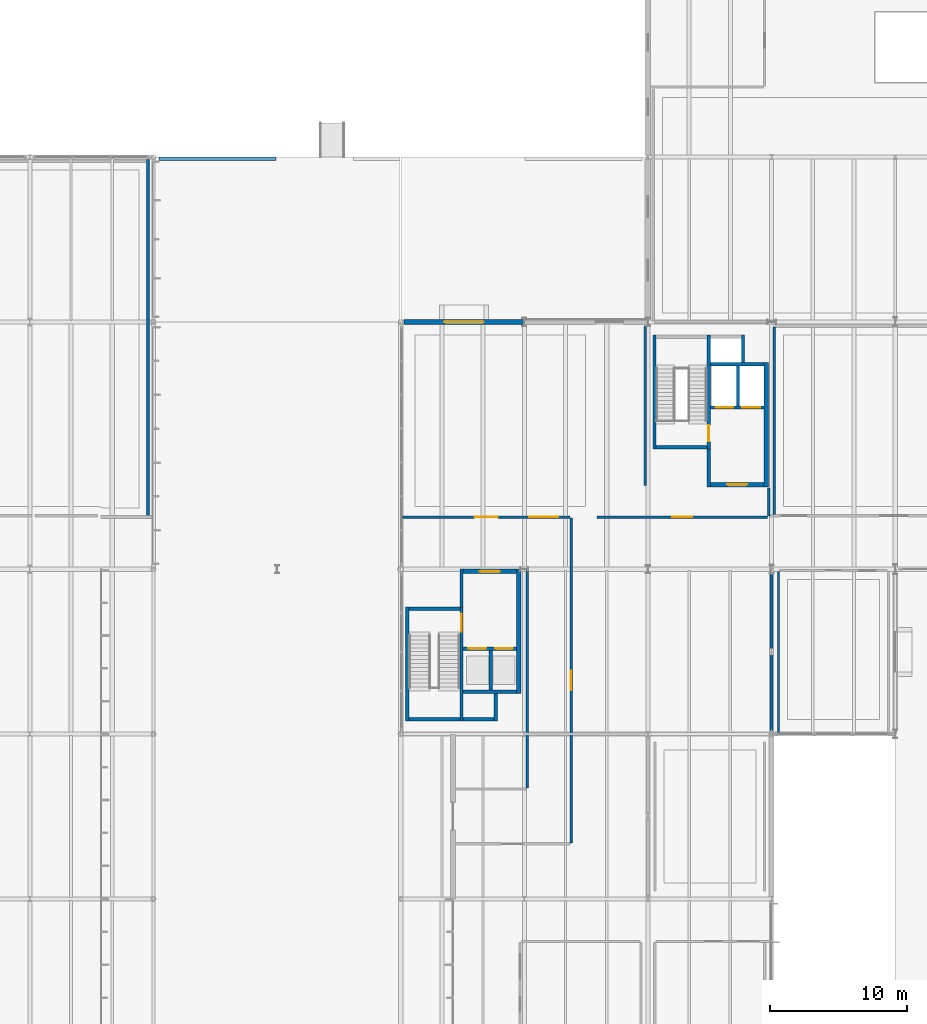
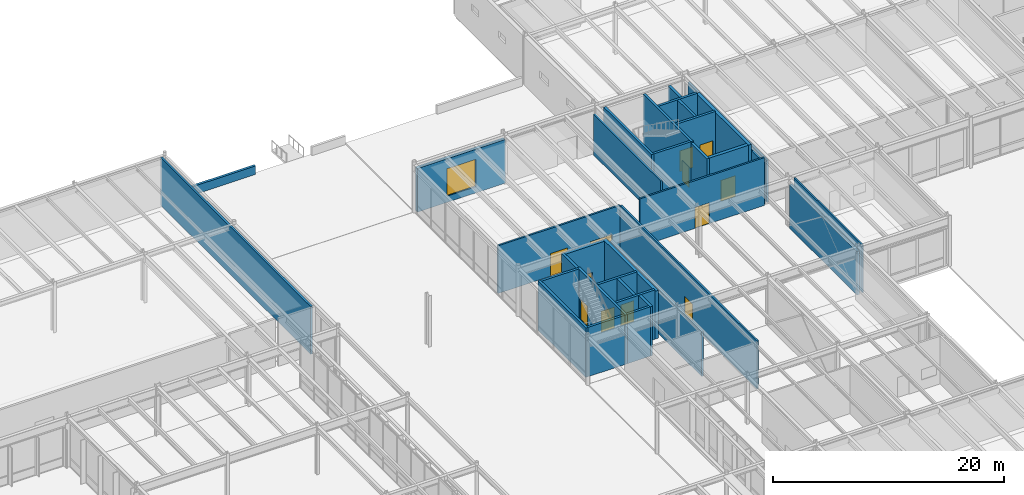
# One storey, part 126 of 143: 34 walls, 11 doors, 2 windows, 13 openings.
"""IFC4 building model written with IfcOpenShell, lengths in metres."""

import ifcopenshell
import ifcopenshell.guid

model = None  # the IFC model being written
_history = None  # IfcOwnerHistory: only IFC2X3 demands one
_inside = {}  # id of a spatial element -> (the spatial element, [elements in it])
_under = {}  # id of a project, library or spatial element -> (it, [spatial elements below it])
_declared = {}  # id of a project -> (the project, [libraries it declares])
_typed = {}  # id of a type object -> (the type object, [elements of that type])
_made_of = {}  # id of a material, layer set ... -> (it, [elements and type objects made of it])


def new_model(schema):
    """Start an empty IFC model of exactly this schema.

    Asked for "IFC4X3", IfcOpenShell would pick the latest addendum, in which some entities
    have other attributes; the version numbers below select the first issue.
    IFC2X3 requires an IfcOwnerHistory on every rooted entity: one is made here for all.
    """
    global model, _history
    if schema == "IFC4X3":
        model = ifcopenshell.file(schema_version=(4, 3, 0, 0))
    else:
        model = ifcopenshell.file(schema=schema)
    _inside.clear()
    _under.clear()
    _declared.clear()
    _typed.clear()
    _made_of.clear()
    _history = None
    if model.schema == "IFC2X3":
        org = make("IfcOrganization", Name="unknown")
        user = make(
            "IfcPersonAndOrganization",
            ThePerson=make("IfcPerson", FamilyName="unknown"),
            TheOrganization=org,
        )
        app = make(
            "IfcApplication",
            ApplicationDeveloper=org,
            Version="unknown",
            ApplicationFullName="unknown",
            ApplicationIdentifier="unknown",
        )
        _history = make(
            "IfcOwnerHistory",
            OwningUser=user,
            OwningApplication=app,
            ChangeAction="ADDED",
            CreationDate=0,
        )
    return model


def make(cls, **values):
    """One entity of the class cls with the attributes given. An attribute that is None is left unset."""
    return model.create_entity(
        cls, **{name: value for name, value in values.items() if value is not None}
    )


def rooted(cls, **values):
    """An entity with a GlobalId (a new one), such as an element, a storey or a relation."""
    return make(cls, GlobalId=ifcopenshell.guid.new(), OwnerHistory=_history, **values)


def si_unit(unit_type, name, prefix=None):
    """IfcSIUnit, for example si_unit("LENGTHUNIT", "METRE", prefix="MILLI")."""
    return make("IfcSIUnit", UnitType=unit_type, Prefix=prefix, Name=name)


def assignment(units):
    """IfcUnitAssignment: the units of a project."""
    return None if units is None else make("IfcUnitAssignment", Units=units)


def point(xyz):
    """IfcCartesianPoint."""
    return None if xyz is None else make("IfcCartesianPoint", Coordinates=xyz)


def direction(xyz):
    """IfcDirection."""
    return None if xyz is None else make("IfcDirection", DirectionRatios=xyz)


def frame(location, z_axis=None, x_axis=None):
    """IfcAxis2Placement3D, a coordinate frame: its origin and axes. An axis left out is left unset."""
    return make(
        "IfcAxis2Placement3D",
        Location=point(location),
        Axis=direction(z_axis),
        RefDirection=direction(x_axis),
    )


def frame_2d(location, x_axis=None):
    """IfcAxis2Placement2D, a coordinate frame in the plane: its origin and x axis."""
    return make(
        "IfcAxis2Placement2D", Location=point(location), RefDirection=direction(x_axis)
    )


def origin():
    """The frame at (0, 0, 0) with its axes left unset."""
    return frame((0.0, 0.0, 0.0))


def place(relative_to, where):
    """IfcLocalPlacement: puts the frame where relative to a parent placement (None: the world)."""
    return make(
        "IfcLocalPlacement", PlacementRelTo=relative_to, RelativePlacement=where
    )


def context(
    kind, dimensions, precision=None, world=None, true_north=None, identifier=None
):
    """IfcGeometricRepresentationContext, for example the 3D "Model" context."""
    return make(
        "IfcGeometricRepresentationContext",
        ContextIdentifier=identifier,
        ContextType=kind,
        CoordinateSpaceDimension=dimensions,
        Precision=precision,
        WorldCoordinateSystem=world,
        TrueNorth=true_north,
    )


def subcontext(parent, identifier, kind, view, scale=None):
    """IfcGeometricRepresentationSubContext, for example "Body" below "Model"."""
    return make(
        "IfcGeometricRepresentationSubContext",
        ContextIdentifier=identifier,
        ContextType=kind,
        ParentContext=parent,
        TargetScale=scale,
        TargetView=view,
    )


def project(units=None, contexts=None):
    """IfcProject with its units and contexts."""
    return rooted(
        "IfcProject",
        Name="project",
        RepresentationContexts=contexts,
        UnitsInContext=assignment(units),
    )


def spatial(cls, under=None, at=None, **own):
    """A site, building, storey or space (cls), placed at a placement, below another one or the project."""
    s = rooted(cls, ObjectPlacement=at, **own)
    if under is not None:
        _under.setdefault(under.id(), (under, []))[1].append(s)
    return s


def profile(cls, at=None, kind="AREA", **sizes):
    """A parametric profile (cls). Its sizes go by their IFC names, for example OverallWidth=200.0."""
    return make(cls, ProfileType=kind, Position=at, **sizes)


def rectangle(**sizes):
    """IfcRectangleProfileDef."""
    return profile("IfcRectangleProfileDef", **sizes)


def extrude(swept, where, along, depth):
    """IfcExtrudedAreaSolid: the profile swept, set in the frame where, extruded along a direction by depth."""
    return make(
        "IfcExtrudedAreaSolid",
        SweptArea=swept,
        Position=where,
        ExtrudedDirection=direction(along),
        Depth=depth,
    )


def shape(context_of_items, identifier, shape_type, items):
    """IfcShapeRepresentation: the items that make up one representation, for example the "Body"."""
    return make(
        "IfcShapeRepresentation",
        ContextOfItems=context_of_items,
        RepresentationIdentifier=identifier,
        RepresentationType=shape_type,
        Items=items,
    )


def material(Name=None, Category=None):
    """IfcMaterial."""
    return make("IfcMaterial", Name=Name, Category=Category)


def layer(
    of_material, thickness, ventilated=None, Name=None, Category=None, Priority=None
):
    """IfcMaterialLayer: one layer of a wall or slab, of a material (None: an air gap)."""
    return make(
        "IfcMaterialLayer",
        Material=of_material,
        LayerThickness=thickness,
        IsVentilated=ventilated,
        Name=Name,
        Category=Category,
        Priority=Priority,
    )


def layer_set(layers, Name=None):
    """IfcMaterialLayerSet."""
    return make("IfcMaterialLayerSet", MaterialLayers=layers, LayerSetName=Name)


def made_of(thing, what):
    """Note that an element or type object is made of a material, layer set ...; save() writes the relation."""
    if what is not None:
        _made_of.setdefault(what.id(), (what, []))[1].append(thing)
    return thing


def type_object(cls, material=None, **own):
    """A type object (cls), such as IfcWallType, which elements share."""
    return made_of(rooted(cls, **own), material)


def element(
    cls,
    number,
    at=None,
    inside=None,
    cuts=None,
    type_object=None,
    material=None,
    context=None,
    identifier="Body",
    shape_type=None,
    held_by="IfcProductDefinitionShape",
    body=None,
    shapes=None,
    **own,
):
    """One element of the class cls, such as IfcWall. Its Tag is "e" and its number.

    at: its placement. inside: the storey or other place that contains it. cuts: it is an
    opening in that element (IfcRelVoidsElement). A single representation is given by context,
    identifier, shape_type and body (its items); several are given by shapes. held_by: the class
    of the entity that holds the representations. save() writes the other relations.
    """
    e = rooted(cls, Tag="e%d" % number, ObjectPlacement=at, **own)
    if body is not None:
        shapes = [shape(context, identifier, shape_type, body)]
    if shapes is not None:
        e.Representation = make(held_by, Representations=shapes)
    if inside is not None:
        _inside.setdefault(inside.id(), (inside, []))[1].append(e)
    if cuts is not None:
        rooted(
            "IfcRelVoidsElement", RelatingBuildingElement=cuts, RelatedOpeningElement=e
        )
    if type_object is not None:
        _typed.setdefault(type_object.id(), (type_object, []))[1].append(e)
    return made_of(e, material)


def fill(opening, filler):
    """IfcRelFillsElement: the door or window that sits in an opening."""
    return rooted(
        "IfcRelFillsElement",
        RelatingOpeningElement=opening,
        RelatedBuildingElement=filler,
    )


def aggregate(whole, parts):
    """IfcRelAggregates: a whole, such as a stair, and the parts it consists of."""
    return rooted("IfcRelAggregates", RelatingObject=whole, RelatedObjects=parts)


def save(model, path):
    """Write the relations noted so far, then the file.

    IfcRelAggregates (storeys below a building ...), IfcRelContainedInSpatialStructure (elements
    in a storey), IfcRelDefinesByType, IfcRelAssociatesMaterial and IfcRelDeclares: one each for
    every whole, place, type object, material and project.
    """
    for whole, parts in _under.values():
        aggregate(whole, parts)
    for where, things in _inside.values():
        rooted(
            "IfcRelContainedInSpatialStructure",
            RelatedElements=things,
            RelatingStructure=where,
        )
    for kind, things in _typed.values():
        rooted("IfcRelDefinesByType", RelatedObjects=things, RelatingType=kind)
    for what, things in _made_of.values():
        rooted("IfcRelAssociatesMaterial", RelatedObjects=things, RelatingMaterial=what)
    for by, libraries in _declared.values():
        rooted("IfcRelDeclares", RelatingContext=by, RelatedDefinitions=libraries)
    model.write(path)


model = new_model("IFC4")

# Units and contexts
model_context = context("Model", 3, precision=1e-05, world=origin(), true_north=direction((0.0, 1.0)))
body_context = subcontext(model_context, "Body", "Model", "MODEL_VIEW")
ifc_project = project(units=[si_unit("LENGTHUNIT", "METRE"), si_unit("AREAUNIT", "SQUARE_METRE"), si_unit("VOLUMEUNIT", "CUBIC_METRE"), si_unit("PLANEANGLEUNIT", "RADIAN"), si_unit("MASSUNIT", "GRAM", prefix="KILO")], contexts=[model_context])

# Site, building, storey
site_placement = place(None, origin())
site = spatial("IfcSite", under=ifc_project, at=site_placement, CompositionType="ELEMENT")
building_placement = place(site_placement, origin())
building = spatial("IfcBuilding", under=site, at=building_placement, Name="Montelvaro Courts of Justice", CompositionType="ELEMENT")
storey_placement = place(building_placement, origin())
storey = spatial("IfcBuildingStorey", under=building, at=storey_placement, Name="L00", CompositionType="ELEMENT", Elevation=0.0)

# Wall
ifc_material_1 = material(Name="Gypsum board on metal stud")
ifc_layer_1 = layer(ifc_material_1, 0.14990234375)
ifc_layer_set_1 = layer_set([ifc_layer_1], Name="Gypsum board on metal stud")
wall_type_1 = type_object("IfcWallType", Name="ChambersPartition_150", PredefinedType="PARTITIONING", material=ifc_layer_set_1)
wall_1_placement = place(storey_placement, frame((126.5, 66.074951171875, 0.0), z_axis=(0.0, 0.0, 1.0), x_axis=(0.0, 1.0, 0.0)))
element("IfcWall", 1, at=wall_1_placement, inside=storey, type_object=wall_type_1, Name="Interior Partition IW-04 (L00)", PredefinedType="PARTITIONING", context=body_context, shape_type="SweptSolid", body=[
    extrude(rectangle(XDim=11.7451171875, YDim=0.14990234375, at=frame_2d((5.87255859375, 0.0))), origin(), (0.0, 0.0, 1.0), 5.0400390625),
])

# Wall, opening, door
ifc_material_2 = material(Name="Concrete C40/50", Category="concrete")
ifc_layer_2 = layer(ifc_material_2, 0.320068359375)
ifc_layer_set_2 = layer_set([ifc_layer_2], Name="Concrete C40/50")
wall_type_2 = type_object("IfcWallType", Name="CoreWall_320", PredefinedType="SHEAR", material=ifc_layer_set_2)
wall_2_placement = place(storey_placement, frame((121.5400390625, 84.159912109375, 0.0), z_axis=(0.0, 0.0, 1.0), x_axis=(1.0, 0.0, 0.0)))
wall_2 = element("IfcWall", 2, at=wall_2_placement, inside=storey, type_object=wall_type_2, Name="Core Shear Wall CW-02 K3-S (L00)", PredefinedType="SHEAR", context=body_context, shape_type="SweptSolid", body=[
    extrude(rectangle(XDim=3.89990234375, YDim=0.320068359375, at=frame_2d((1.949951171875, 0.0))), origin(), (0.0, 0.0, 1.0), 5.06005859375),
])
opening_1_placement = place(wall_2_placement, frame((1.22509765625, 0.0, 0.0)))
opening_1 = element("IfcOpeningElement", 3, at=opening_1_placement, cuts=wall_2, Name="Opening DL-L00-K3", PredefinedType="OPENING", context=body_context, shape_type="SweptSolid", body=[
    extrude(rectangle(XDim=1.449951171875, YDim=2.199951171875, at=frame_2d((0.72509765625, 1.10009765625))), frame((0.0, 0.1748046875, 0.0), z_axis=(0.0, -1.0, 0.0), x_axis=(1.0, 0.0, 0.0)), (0.0, 0.0, 1.0), 0.349853515625),
])
ifc_material_3 = material(Name="Galvanised steel S355 security door", Category="steel")
door_type_1 = type_object("IfcDoorType", Name="LobbyFireDoor_145x220", OperationType="DOUBLE_DOOR_SINGLE_SWING", PredefinedType="DOOR", material=ifc_material_3)
door_1_placement = place(opening_1_placement, origin())
door_1 = element("IfcDoor", 4, at=door_1_placement, inside=storey, type_object=door_type_1, Name="Core Lobby Fire Door DL-L00-K3", OperationType="DOUBLE_DOOR_SINGLE_SWING", OverallHeight=2.199951171875, OverallWidth=1.449951171875, PredefinedType="DOOR", context=body_context, shape_type="SweptSolid", body=[
    extrude(rectangle(XDim=1.449951171875, YDim=2.199951171875, at=frame_2d((0.72509765625, 1.10009765625))), frame((0.0, 0.02490234375, 0.0), z_axis=(0.0, -1.0, 0.0), x_axis=(1.0, 0.0, 0.0)), (0.0, 0.0, 1.0), 0.050048828125),
])
fill(opening_1, door_1)

# Wall
wall_3_placement = place(storey_placement, frame((125.60009765625, 84.0, 0.0), z_axis=(0.0, 0.0, 1.0), x_axis=(0.0, 1.0, 0.0)))
element("IfcWall", 5, at=wall_3_placement, inside=storey, type_object=wall_type_2, Name="Core Shear Wall CW-02 K3-E (L00)", PredefinedType="SHEAR", context=body_context, shape_type="SweptSolid", body=[
    extrude(rectangle(XDim=9.0400390625, YDim=0.320068359375, at=frame_2d((4.52001953125, 0.0))), origin(), (0.0, 0.0, 1.0), 5.06005859375),
])

# Wall, opening, door
wall_4_placement = place(storey_placement, frame((103.5400390625, 77.840087890625, 0.0), z_axis=(0.0, 0.0, 1.0), x_axis=(1.0, 0.0, 0.0)))
wall_4 = element("IfcWall", 6, at=wall_4_placement, inside=storey, type_object=wall_type_2, Name="Core Shear Wall CW-02 K4-N (L00)", PredefinedType="SHEAR", context=body_context, shape_type="SweptSolid", body=[
    extrude(rectangle(XDim=3.89990234375, YDim=0.320068359375, at=frame_2d((1.949951171875, 0.0))), origin(), (0.0, 0.0, 1.0), 5.06005859375),
])
opening_2_placement = place(wall_4_placement, frame((1.22509765625, 0.0, 0.0)))
opening_2 = element("IfcOpeningElement", 7, at=opening_2_placement, cuts=wall_4, Name="Opening DL-L00-K4", PredefinedType="OPENING", context=body_context, shape_type="SweptSolid", body=[
    extrude(rectangle(XDim=1.449951171875, YDim=2.199951171875, at=frame_2d((0.72509765625, 1.10009765625))), frame((0.0, 0.1748046875, 0.0), z_axis=(0.0, -1.0, 0.0), x_axis=(1.0, 0.0, 0.0)), (0.0, 0.0, 1.0), 0.349853515625),
])
door_2_placement = place(opening_2_placement, origin())
door_2 = element("IfcDoor", 8, at=door_2_placement, inside=storey, type_object=door_type_1, Name="Core Lobby Fire Door DL-L00-K4", OperationType="DOUBLE_DOOR_SINGLE_SWING", OverallHeight=2.199951171875, OverallWidth=1.449951171875, PredefinedType="DOOR", context=body_context, shape_type="SweptSolid", body=[
    extrude(rectangle(XDim=1.449951171875, YDim=2.199951171875, at=frame_2d((0.72509765625, 1.10009765625))), frame((0.0, 0.02490234375, 0.0), z_axis=(0.0, -1.0, 0.0), x_axis=(1.0, 0.0, 0.0)), (0.0, 0.0, 1.0), 0.050048828125),
])
fill(opening_2, door_2)

# Wall
wall_5_placement = place(storey_placement, frame((107.60009765625, 68.9599609375, 0.0), z_axis=(0.0, 0.0, 1.0), x_axis=(0.0, 1.0, 0.0)))
element("IfcWall", 9, at=wall_5_placement, inside=storey, type_object=wall_type_2, Name="Core Shear Wall CW-02 K4-E (L00)", PredefinedType="SHEAR", context=body_context, shape_type="SweptSolid", body=[
    extrude(rectangle(XDim=9.0400390625, YDim=0.320068359375, at=frame_2d((4.52001953125, 0.0))), origin(), (0.0, 0.0, 1.0), 5.06005859375),
])

# Wall, openings, door, window
ifc_material_4 = material(Name="Fire-rated gypsum and steel stud", Category="steel")
ifc_layer_3 = layer(ifc_material_4, 0.179931640625)
ifc_layer_set_3 = layer_set([ifc_layer_3], Name="Fire-rated gypsum and steel stud")
wall_type_3 = type_object("IfcWallType", Name="CorridorFireWall_180", PredefinedType="PARTITIONING", material=ifc_layer_set_3)
wall_6_placement = place(storey_placement, frame((99.125, 81.800048828125, 0.0), z_axis=(0.0, 0.0, 1.0), x_axis=(1.0, 0.0, 0.0)))
wall_6 = element("IfcWall", 10, at=wall_6_placement, inside=storey, type_object=wall_type_3, Name="Interior Partition IW-02 (L00)", PredefinedType="PARTITIONING", context=body_context, shape_type="SweptSolid", body=[
    extrude(rectangle(XDim=12.195068359375, YDim=0.179931640625, at=frame_2d((6.09765625, 0.0))), origin(), (0.0, 0.0, 1.0), 5.0400390625),
])
opening_3_placement = place(wall_6_placement, frame((5.248046875, 0.0, 0.0)))
opening_3 = element("IfcOpeningElement", 11, at=opening_3_placement, cuts=wall_6, Name="Opening D-L00-034", PredefinedType="OPENING", context=body_context, shape_type="SweptSolid", body=[
    extrude(rectangle(XDim=1.699951171875, YDim=2.39990234375, at=frame_2d((0.85009765625, 1.199951171875))), frame((0.0, 0.10498046875, 0.0), z_axis=(0.0, -1.0, 0.0), x_axis=(1.0, 0.0, 0.0)), (0.0, 0.0, 1.0), 0.209716796875),
])
opening_4_placement = place(wall_6_placement, frame((9.2451171875, 0.0, 1.050048828125)))
opening_4 = element("IfcOpeningElement", 12, at=opening_4_placement, cuts=wall_6, Name="Opening WI-04", PredefinedType="OPENING", context=body_context, shape_type="SweptSolid", body=[
    extrude(rectangle(XDim=2.10009765625, YDim=1.199951171875, at=frame_2d((1.050048828125, 0.60009765625))), frame((0.0, 0.10498046875, 0.0), z_axis=(0.0, -1.0, 0.0), x_axis=(1.0, 0.0, 0.0)), (0.0, 0.0, 1.0), 0.209716796875),
])
ifc_material_5 = material(Name="Acoustic oak timber veneer", Category="wood")
door_type_2 = type_object("IfcDoorType", Name="CourtDoor_170x240", OperationType="DOUBLE_DOOR_SINGLE_SWING", PredefinedType="DOOR", material=ifc_material_5)
door_3_placement = place(opening_3_placement, origin())
door_3 = element("IfcDoor", 13, at=door_3_placement, inside=storey, type_object=door_type_2, Name="Interior Door D-L00-034 (Criminal Courtroom 01)", OperationType="DOUBLE_DOOR_SINGLE_SWING", OverallHeight=2.39990234375, OverallWidth=1.699951171875, PredefinedType="DOOR", context=body_context, shape_type="SweptSolid", body=[
    extrude(rectangle(XDim=1.699951171875, YDim=2.39990234375, at=frame_2d((0.85009765625, 1.199951171875))), frame((0.0, 0.02490234375, 0.0), z_axis=(0.0, -1.0, 0.0), x_axis=(1.0, 0.0, 0.0)), (0.0, 0.0, 1.0), 0.050048828125),
])
fill(opening_3, door_3)
ifc_material_6 = material(Name="Acoustic laminated double glazing", Category="glass")
window_type_1 = type_object("IfcWindowType", Name="IntVision_210x120", PartitioningType="SINGLE_PANEL", PredefinedType="WINDOW", material=ifc_material_6)
window_1_placement = place(opening_4_placement, origin())
window_1 = element("IfcWindow", 14, at=window_1_placement, inside=storey, type_object=window_type_1, Name="Interior Vision Panel WI-016", OverallHeight=1.199951171875, OverallWidth=2.10009765625, PartitioningType="SINGLE_PANEL", PredefinedType="WINDOW", context=body_context, shape_type="SweptSolid", body=[
    extrude(rectangle(XDim=2.10009765625, YDim=1.199951171875, at=frame_2d((1.050048828125, 0.60009765625))), frame((0.0, 0.030029296875, 0.0), z_axis=(0.0, -1.0, 0.0), x_axis=(1.0, 0.0, 0.0)), (0.0, 0.0, 1.0), 0.06005859375),
])
fill(opening_4, window_1)

# Wall, opening, door
wall_7_placement = place(storey_placement, frame((111.39990234375, 81.719970703125, 0.0), z_axis=(0.0, 0.0, 1.0), x_axis=(0.0, -1.0, 0.0)))
wall_7 = element("IfcWall", 15, at=wall_7_placement, inside=storey, type_object=wall_type_3, Name="Interior Partition IW-02 (L00)", PredefinedType="PARTITIONING", context=body_context, shape_type="SweptSolid", body=[
    extrude(rectangle(XDim=23.639892578125, YDim=0.179931640625, at=frame_2d((11.81982421875, 0.0))), origin(), (0.0, 0.0, 1.0), 5.0400390625),
])
opening_5_placement = place(wall_7_placement, frame((11.094970703125, 0.0, 0.0)))
opening_5 = element("IfcOpeningElement", 16, at=opening_5_placement, cuts=wall_7, Name="Opening D-L00-029", PredefinedType="OPENING", context=body_context, shape_type="SweptSolid", body=[
    extrude(rectangle(XDim=1.449951171875, YDim=2.199951171875, at=frame_2d((0.72509765625, 1.10009765625))), frame((0.0, 0.10498046875, 0.0), z_axis=(0.0, -1.0, 0.0), x_axis=(1.0, 0.0, 0.0)), (0.0, 0.0, 1.0), 0.209716796875),
])
door_4_placement = place(opening_5_placement, origin())
door_4 = element("IfcDoor", 17, at=door_4_placement, inside=storey, type_object=door_type_1, Name="Interior Door D-L00-029 (Protected Exit Passage K4)", OperationType="DOUBLE_DOOR_SINGLE_SWING", OverallHeight=2.199951171875, OverallWidth=1.449951171875, PredefinedType="DOOR", context=body_context, shape_type="SweptSolid", body=[
    extrude(rectangle(XDim=1.449951171875, YDim=2.199951171875, at=frame_2d((0.72509765625, 1.10009765625))), frame((0.0, 0.02490234375, 0.0), z_axis=(0.0, -1.0, 0.0), x_axis=(1.0, 0.0, 0.0)), (0.0, 0.0, 1.0), 0.050048828125),
])
fill(opening_5, door_4)

# Wall
wall_8_placement = place(storey_placement, frame((108.199951171875, 62.080078125, 0.0), z_axis=(0.0, 0.0, 1.0), x_axis=(0.0, 1.0, 0.0)))
element("IfcWall", 18, at=wall_8_placement, inside=storey, type_object=wall_type_3, Name="Interior Partition IW-02 (L00)", PredefinedType="PARTITIONING", context=body_context, shape_type="SweptSolid", body=[
    extrude(rectangle(XDim=15.83984375, YDim=0.179931640625, at=frame_2d((7.919921875, 0.0))), origin(), (0.0, 0.0, 1.0), 4.705078125),
])

# Wall, opening, door
wall_9_placement = place(storey_placement, frame((125.719970703125, 81.800048828125, 0.0), z_axis=(0.0, 0.0, 1.0), x_axis=(-1.0, 0.0, 0.0)))
wall_9 = element("IfcWall", 19, at=wall_9_placement, inside=storey, type_object=wall_type_3, Name="Interior Partition IW-02 (L00)", PredefinedType="PARTITIONING", context=body_context, shape_type="SweptSolid", body=[
    extrude(rectangle(XDim=12.43994140625, YDim=0.179931640625, at=frame_2d((6.219970703125, 0.0))), origin(), (0.0, 0.0, 1.0), 5.0400390625),
])
opening_6_placement = place(wall_9_placement, frame((5.4951171875, 0.0, 0.0)))
opening_6 = element("IfcOpeningElement", 20, at=opening_6_placement, cuts=wall_9, Name="Opening D-L00-031", PredefinedType="OPENING", context=body_context, shape_type="SweptSolid", body=[
    extrude(rectangle(XDim=1.449951171875, YDim=2.199951171875, at=frame_2d((0.72509765625, 1.10009765625))), frame((0.0, 0.10498046875, 0.0), z_axis=(0.0, -1.0, 0.0), x_axis=(1.0, 0.0, 0.0)), (0.0, 0.0, 1.0), 0.209716796875),
])
door_5_placement = place(opening_6_placement, origin())
door_5 = element("IfcDoor", 21, at=door_5_placement, inside=storey, type_object=door_type_1, Name="Interior Door D-L00-031 (Protected Exit Passage K3)", OperationType="DOUBLE_DOOR_SINGLE_SWING", OverallHeight=2.199951171875, OverallWidth=1.449951171875, PredefinedType="DOOR", context=body_context, shape_type="SweptSolid", body=[
    extrude(rectangle(XDim=1.449951171875, YDim=2.199951171875, at=frame_2d((0.72509765625, 1.10009765625))), frame((0.0, 0.02490234375, 0.0), z_axis=(0.0, -1.0, 0.0), x_axis=(1.0, 0.0, 0.0)), (0.0, 0.0, 1.0), 0.050048828125),
])
fill(opening_6, door_5)

# Walls
wall_10_placement = place(storey_placement, frame((116.800048828125, 95.719970703125, 0.0), z_axis=(0.0, 0.0, 1.0), x_axis=(0.0, -1.0, 0.0)))
element("IfcWall", 22, at=wall_10_placement, inside=storey, type_object=wall_type_3, Name="Interior Partition IW-02 (L00)", PredefinedType="PARTITIONING", context=body_context, shape_type="SweptSolid", body=[
    extrude(rectangle(XDim=11.639892578125, YDim=0.179931640625, at=frame_2d((5.81982421875, 0.0))), origin(), (0.0, 0.0, 1.0), 4.294921875),
])
wall_11_placement = place(storey_placement, frame((125.800048828125, 83.919921875, 0.0), z_axis=(0.0, 0.0, 1.0), x_axis=(0.0, -1.0, 0.0)))
element("IfcWall", 23, at=wall_11_placement, inside=storey, type_object=wall_type_3, Name="Interior Partition IW-02 (L00)", PredefinedType="PARTITIONING", context=body_context, shape_type="SweptSolid", body=[
    extrude(rectangle(XDim=2.0400390625, YDim=0.179931640625, at=frame_2d((1.02001953125, 0.0))), origin(), (0.0, 0.0, 1.0), 4.445068359375),
])
ifc_material_7 = material(Name="Gypsum acoustic double stud with mineral wool")
ifc_layer_4 = layer(ifc_material_7, 0.199951171875)
ifc_layer_set_4 = layer_set([ifc_layer_4], Name="Gypsum acoustic double stud with mineral wool")
wall_type_4 = type_object("IfcWallType", Name="CourtAcousticWall_200", PredefinedType="PARTITIONING", material=ifc_layer_set_4)
wall_12_placement = place(storey_placement, frame((80.60009765625, 107.842041015625, 0.0), z_axis=(0.0, 0.0, 1.0), x_axis=(0.0, -1.0, 0.0)))
element("IfcWall", 24, at=wall_12_placement, inside=storey, type_object=wall_type_4, Name="Interior Partition IW-01 (L00)", PredefinedType="PARTITIONING", context=body_context, shape_type="SweptSolid", body=[
    extrude(rectangle(XDim=25.962158203125, YDim=0.199951171875, at=frame_2d((12.98095703125, 0.0))), origin(), (0.0, 0.0, 1.0), 5.0400390625),
])
wall_13_placement = place(storey_placement, frame((126.199951171875, 81.97998046875, 0.0), z_axis=(0.0, 0.0, 1.0), x_axis=(0.0, 1.0, 0.0)))
element("IfcWall", 25, at=wall_13_placement, inside=storey, type_object=wall_type_4, Name="Interior Partition IW-01 (L00)", PredefinedType="PARTITIONING", context=body_context, shape_type="SweptSolid", body=[
    extrude(rectangle(XDim=13.64013671875, YDim=0.199951171875, at=frame_2d((6.820068359375, 0.0))), origin(), (0.0, 0.0, 1.0), 4.445068359375),
])

# Wall, opening, window
ifc_material_8 = material(Name="Precast concrete C45/55", Category="concrete")
ifc_layer_5 = layer(ifc_material_8, 0.35009765625)
ifc_layer_set_5 = layer_set([ifc_layer_5], Name="Precast concrete C45/55")
wall_type_5 = type_object("IfcWallType", Name="ExtWall_Limestone_350", PredefinedType="SOLIDWALL", material=ifc_layer_set_5)
wall_14_placement = place(storey_placement, frame((107.991943359375, 96.0, 0.0), z_axis=(0.0, 0.0, 1.0), x_axis=(-1.0, 0.0, 0.0)))
wall_14 = element("IfcWall", 26, at=wall_14_placement, inside=storey, type_object=wall_type_5, Name="Exterior Facade Wall EW-03 (L00)", PredefinedType="SOLIDWALL", context=body_context, shape_type="SweptSolid", body=[
    extrude(rectangle(XDim=8.76806640625, YDim=0.35009765625, at=frame_2d((4.384033203125, 0.0))), origin(), (0.0, 0.0, 1.0), 4.60498046875),
])
opening_7_placement = place(wall_14_placement, frame((2.93408203125, 0.0, 0.64990234375)))
opening_7 = element("IfcOpeningElement", 27, at=opening_7_placement, cuts=wall_14, Name="Opening WE-02", PredefinedType="OPENING", context=body_context, shape_type="SweptSolid", body=[
    extrude(rectangle(XDim=2.89990234375, YDim=2.89990234375, at=frame_2d((1.449951171875, 1.449951171875))), frame((0.0, 0.18994140625, 0.0), z_axis=(0.0, -1.0, 0.0), x_axis=(1.0, 0.0, 0.0)), (0.0, 0.0, 1.0), 0.3798828125),
])
ifc_material_9 = material(Name="Low-E solar control double glazing", Category="glass")
window_type_2 = type_object("IfcWindowType", Name="Win_Sq_290x290", PartitioningType="SINGLE_PANEL", PredefinedType="WINDOW", material=ifc_material_9)
window_2_placement = place(opening_7_placement, origin())
window_2 = element("IfcWindow", 28, at=window_2_placement, inside=storey, type_object=window_type_2, Name="Window W-L00-002", OverallHeight=2.89990234375, OverallWidth=2.89990234375, PartitioningType="SINGLE_PANEL", PredefinedType="WINDOW", context=body_context, shape_type="SweptSolid", body=[
    extrude(rectangle(XDim=2.89990234375, YDim=2.89990234375, at=frame_2d((1.449951171875, 1.449951171875))), frame((0.0, 0.030029296875, 0.0), z_axis=(0.0, -1.0, 0.0), x_axis=(1.0, 0.0, 0.0)), (0.0, 0.0, 1.0), 0.06005859375),
])
fill(opening_7, window_2)

# Walls
ifc_material_10 = material(Name="White mineral precast concrete C45/55", Category="concrete")
ifc_layer_6 = layer(ifc_material_10, 0.239990234375)
ifc_layer_set_6 = layer_set([ifc_layer_6], Name="White mineral precast concrete C45/55")
wall_type_6 = type_object("IfcWallType", Name="ParapetWall_240", PredefinedType="PARAPET", material=ifc_layer_set_6)
wall_15_placement = place(storey_placement, frame((81.419921875, 107.8798828125, 0.0), z_axis=(0.0, 0.0, 1.0), x_axis=(1.0, 0.0, 0.0)))
element("IfcWall", 29, at=wall_15_placement, inside=storey, type_object=wall_type_6, Name="Roof Parapet PW-01 L00-057", PredefinedType="PARAPET", context=body_context, shape_type="SweptSolid", body=[
    extrude(rectangle(XDim=8.52001953125, YDim=0.239990234375, at=frame_2d((4.260009765625, 0.0))), origin(), (0.0, 0.0, 1.0), 0.89990234375),
])
ifc_material_11 = material(Name="Concrete C35/45", Category="concrete")
ifc_layer_7 = layer(ifc_material_11, 0.239990234375)
ifc_layer_set_7 = layer_set([ifc_layer_7], Name="Concrete C35/45")
wall_type_7 = type_object("IfcWallType", Name="ShaftWall_240", PredefinedType="SHEAR", material=ifc_layer_set_7)
wall_16_placement = place(storey_placement, frame((117.47998046875, 86.760009765625, 0.0), z_axis=(0.0, 0.0, 1.0), x_axis=(0.0, 1.0, 0.0)))
element("IfcWall", 30, at=wall_16_placement, inside=storey, type_object=wall_type_7, Name="Protected Stair Structural Wall ST-K3-W (L00)", PredefinedType="SHEAR", context=body_context, shape_type="SweptSolid", body=[
    extrude(rectangle(XDim=8.280029296875, YDim=0.239990234375, at=frame_2d((4.14013671875, 0.0))), origin(), (0.0, 0.0, 1.0), 5.2099609375),
])

# Wall, opening, door
wall_17_placement = place(storey_placement, frame((121.419921875, 86.760009765625, 0.0), z_axis=(0.0, 0.0, 1.0), x_axis=(0.0, 1.0, 0.0)))
wall_17 = element("IfcWall", 31, at=wall_17_placement, inside=storey, type_object=wall_type_7, Name="Protected Stair Structural Wall ST-K3-E (L00)", PredefinedType="SHEAR", context=body_context, shape_type="SweptSolid", body=[
    extrude(rectangle(XDim=8.280029296875, YDim=0.239990234375, at=frame_2d((4.14013671875, 0.0))), origin(), (0.0, 0.0, 1.0), 5.2099609375),
])
opening_8_placement = place(wall_17_placement, frame((0.5400390625, 0.0, 0.0)))
opening_8 = element("IfcOpeningElement", 32, at=opening_8_placement, cuts=wall_17, Name="Opening DS-L00-K3", PredefinedType="OPENING", context=body_context, shape_type="SweptSolid", body=[
    extrude(rectangle(XDim=1.199951171875, YDim=2.14990234375, at=frame_2d((0.60009765625, 1.074951171875))), frame((0.0, 0.134765625, 0.0), z_axis=(0.0, -1.0, 0.0), x_axis=(1.0, 0.0, 0.0)), (0.0, 0.0, 1.0), 0.269775390625),
])
door_type_3 = type_object("IfcDoorType", Name="StairFireDoor_120x215", OperationType="NOTDEFINED", PredefinedType="DOOR", material=ifc_material_3)
door_6_placement = place(opening_8_placement, frame((1.199951171875, 0.0, 0.0), z_axis=(0.0, 0.0, 1.0), x_axis=(-1.0, 0.0, 0.0)))
door_6 = element("IfcDoor", 33, at=door_6_placement, inside=storey, type_object=door_type_3, Name="Protected Stair Fire Door DS-L00-K3", OperationType="SINGLE_SWING_RIGHT", OverallHeight=2.14990234375, OverallWidth=1.199951171875, PredefinedType="DOOR", context=body_context, shape_type="SweptSolid", body=[
    extrude(rectangle(XDim=1.199951171875, YDim=2.14990234375, at=frame_2d((0.60009765625, 1.074951171875))), frame((0.0, 0.02490234375, 0.0), z_axis=(0.0, -1.0, 0.0), x_axis=(1.0, 0.0, 0.0)), (0.0, 0.0, 1.0), 0.050048828125),
])
fill(opening_8, door_6)

# Walls
wall_18_placement = place(storey_placement, frame((117.60009765625, 86.8798828125, 0.0), z_axis=(0.0, 0.0, 1.0), x_axis=(1.0, 0.0, 0.0)))
element("IfcWall", 34, at=wall_18_placement, inside=storey, type_object=wall_type_7, Name="Protected Stair Structural Wall ST-K3-S (L00)", PredefinedType="SHEAR", context=body_context, shape_type="SweptSolid", body=[
    extrude(rectangle(XDim=3.699951171875, YDim=0.239990234375, at=frame_2d((1.85009765625, 0.0))), origin(), (0.0, 0.0, 1.0), 5.2099609375),
])
wall_19_placement = place(storey_placement, frame((99.47998046875, 66.9599609375, 0.0), z_axis=(0.0, 0.0, 1.0), x_axis=(0.0, 1.0, 0.0)))
element("IfcWall", 35, at=wall_19_placement, inside=storey, type_object=wall_type_7, Name="Protected Stair Structural Wall ST-K4-W (L00)", PredefinedType="SHEAR", context=body_context, shape_type="SweptSolid", body=[
    extrude(rectangle(XDim=8.280029296875, YDim=0.239990234375, at=frame_2d((4.14013671875, 0.0))), origin(), (0.0, 0.0, 1.0), 5.2099609375),
])

# Wall, opening, door
wall_20_placement = place(storey_placement, frame((103.419921875, 66.9599609375, 0.0), z_axis=(0.0, 0.0, 1.0), x_axis=(0.0, 1.0, 0.0)))
wall_20 = element("IfcWall", 36, at=wall_20_placement, inside=storey, type_object=wall_type_7, Name="Protected Stair Structural Wall ST-K4-E (L00)", PredefinedType="SHEAR", context=body_context, shape_type="SweptSolid", body=[
    extrude(rectangle(XDim=8.280029296875, YDim=0.239990234375, at=frame_2d((4.14013671875, 0.0))), origin(), (0.0, 0.0, 1.0), 5.2099609375),
])
opening_9_placement = place(wall_20_placement, frame((6.489990234375, 0.0, 0.0)))
opening_9 = element("IfcOpeningElement", 37, at=opening_9_placement, cuts=wall_20, Name="Opening DS-L00-K4", PredefinedType="OPENING", context=body_context, shape_type="SweptSolid", body=[
    extrude(rectangle(XDim=1.300048828125, YDim=2.199951171875, at=frame_2d((0.64990234375, 1.10009765625))), frame((0.0, 0.134765625, 0.0), z_axis=(0.0, -1.0, 0.0), x_axis=(1.0, 0.0, 0.0)), (0.0, 0.0, 1.0), 0.269775390625),
])
door_type_4 = type_object("IfcDoorType", Name="StairFireDoor_130x220", OperationType="NOTDEFINED", PredefinedType="DOOR", material=ifc_material_3)
door_7_placement = place(opening_9_placement, frame((1.300048828125, 0.0, 0.0), z_axis=(0.0, 0.0, 1.0), x_axis=(-1.0, 0.0, 0.0)))
door_7 = element("IfcDoor", 38, at=door_7_placement, inside=storey, type_object=door_type_4, Name="Protected Stair Fire Door DS-L00-K4", OperationType="SINGLE_SWING_LEFT", OverallHeight=2.199951171875, OverallWidth=1.300048828125, PredefinedType="DOOR", context=body_context, shape_type="SweptSolid", body=[
    extrude(rectangle(XDim=1.300048828125, YDim=2.199951171875, at=frame_2d((0.64990234375, 1.10009765625))), frame((0.0, 0.02490234375, 0.0), z_axis=(0.0, -1.0, 0.0), x_axis=(1.0, 0.0, 0.0)), (0.0, 0.0, 1.0), 0.050048828125),
])
fill(opening_9, door_7)

# Walls
for number, where, z_axis, x_axis, name in (
    (39, (99.60009765625, 67.080078125, 0.0), (0.0, 0.0, 1.0), (1.0, 0.0, 0.0), "Protected Stair Structural Wall ST-K4-S (L00)"),
    (40, (99.60009765625, 75.1201171875, 0.0), (0.0, 0.0, 1.0), (1.0, 0.0, 0.0), "Protected Stair Structural Wall ST-K4-N (L00)"),
):
    element("IfcWall", number, at=place(storey_placement, frame(where, z_axis=z_axis, x_axis=x_axis)), inside=storey, type_object=wall_type_7, Name=name, PredefinedType="SHEAR", context=body_context, shape_type="SweptSolid", body=[
        extrude(rectangle(XDim=3.699951171875, YDim=0.239990234375, at=frame_2d((1.85009765625, 0.0))), origin(), (0.0, 0.0, 1.0), 5.2099609375),
    ])
wall_21_placement = place(storey_placement, frame((121.419921875, 84.0, 0.0), z_axis=(0.0, 0.0, 1.0), x_axis=(0.0, 1.0, 0.0)))
element("IfcWall", 41, at=wall_21_placement, inside=storey, type_object=wall_type_7, Name="Core Lobby Structural Wall K3-W (L00)", PredefinedType="SHEAR", context=body_context, shape_type="SweptSolid", body=[
    extrude(rectangle(XDim=2.760009765625, YDim=0.239990234375, at=frame_2d((1.3798828125, 0.0))), origin(), (0.0, 0.0, 1.0), 5.06005859375),
])

# Wall, openings, doors
wall_22_placement = place(storey_placement, frame((121.5400390625, 89.780029296875, 0.0), z_axis=(0.0, 0.0, 1.0), x_axis=(1.0, 0.0, 0.0)))
wall_22 = element("IfcWall", 42, at=wall_22_placement, inside=storey, type_object=wall_type_7, Name="Lift Shaft Bank Wall K3 (L00)", PredefinedType="SHEAR", context=body_context, shape_type="SweptSolid", body=[
    extrude(rectangle(XDim=3.89990234375, YDim=0.239990234375, at=frame_2d((1.949951171875, 0.0))), origin(), (0.0, 0.0, 1.0), 5.2099609375),
])
opening_10_placement = place(wall_22_placement, frame((0.385009765625, 0.0, 0.0)))
opening_10 = element("IfcOpeningElement", 43, at=opening_10_placement, cuts=wall_22, Name="Opening LD-LC-01-L00", PredefinedType="OPENING", context=body_context, shape_type="SweptSolid", body=[
    extrude(rectangle(XDim=1.300048828125, YDim=2.199951171875, at=frame_2d((0.64990234375, 1.10009765625))), frame((0.0, 0.134765625, 0.0), z_axis=(0.0, -1.0, 0.0), x_axis=(1.0, 0.0, 0.0)), (0.0, 0.0, 1.0), 0.269775390625),
])
opening_11_placement = place(wall_22_placement, frame((2.3349609375, 0.0, 0.0)))
opening_11 = element("IfcOpeningElement", 44, at=opening_11_placement, cuts=wall_22, Name="Opening LD-LG-01-L00", PredefinedType="OPENING", context=body_context, shape_type="SweptSolid", body=[
    extrude(rectangle(XDim=1.300048828125, YDim=2.199951171875, at=frame_2d((0.64990234375, 1.10009765625))), frame((0.0, 0.134765625, 0.0), z_axis=(0.0, -1.0, 0.0), x_axis=(1.0, 0.0, 0.0)), (0.0, 0.0, 1.0), 0.269775390625),
])
door_type_5 = type_object("IfcDoorType", Name="LiftDoor_130x220", OperationType="DOUBLE_DOOR_SLIDING", PredefinedType="DOOR", material=ifc_material_3)
door_8_placement = place(opening_10_placement, origin())
door_8 = element("IfcDoor", 45, at=door_8_placement, inside=storey, type_object=door_type_5, Name="Lift Landing Sliding Door LD-LC-01-L00", OperationType="DOUBLE_DOOR_SLIDING", OverallHeight=2.199951171875, OverallWidth=1.300048828125, PredefinedType="DOOR", context=body_context, shape_type="SweptSolid", body=[
    extrude(rectangle(XDim=1.300048828125, YDim=2.199951171875, at=frame_2d((0.64990234375, 1.10009765625))), frame((0.0, 0.02490234375, 0.0), z_axis=(0.0, -1.0, 0.0), x_axis=(1.0, 0.0, 0.0)), (0.0, 0.0, 1.0), 0.050048828125),
])
fill(opening_10, door_8)
door_9_placement = place(opening_11_placement, origin())
door_9 = element("IfcDoor", 46, at=door_9_placement, inside=storey, type_object=door_type_5, Name="Lift Landing Sliding Door LD-LG-01-L00", OperationType="DOUBLE_DOOR_SLIDING", OverallHeight=2.199951171875, OverallWidth=1.300048828125, PredefinedType="DOOR", context=body_context, shape_type="SweptSolid", body=[
    extrude(rectangle(XDim=1.300048828125, YDim=2.199951171875, at=frame_2d((0.64990234375, 1.10009765625))), frame((0.0, 0.02490234375, 0.0), z_axis=(0.0, -1.0, 0.0), x_axis=(1.0, 0.0, 0.0)), (0.0, 0.0, 1.0), 0.050048828125),
])
fill(opening_11, door_9)

# Walls
wall_23_placement = place(storey_placement, frame((121.5400390625, 92.919921875, 0.0), z_axis=(0.0, 0.0, 1.0), x_axis=(1.0, 0.0, 0.0)))
element("IfcWall", 47, at=wall_23_placement, inside=storey, type_object=wall_type_7, Name="Lift Shaft Back Wall K3 (L00)", PredefinedType="SHEAR", context=body_context, shape_type="SweptSolid", body=[
    extrude(rectangle(XDim=3.89990234375, YDim=0.239990234375, at=frame_2d((1.949951171875, 0.0))), origin(), (0.0, 0.0, 1.0), 5.2099609375),
])
wall_24_placement = place(storey_placement, frame((123.550048828125, 89.89990234375, 0.0), z_axis=(0.0, 0.0, 1.0), x_axis=(0.0, 1.0, 0.0)))
element("IfcWall", 48, at=wall_24_placement, inside=storey, type_object=wall_type_7, Name="Lift Shaft Divider Wall K3-LFD1 (L00)", PredefinedType="SHEAR", context=body_context, shape_type="SweptSolid", body=[
    extrude(rectangle(XDim=2.900146484375, YDim=0.239990234375, at=frame_2d((1.4501953125, 0.0))), origin(), (0.0, 0.0, 1.0), 5.2099609375),
])
wall_25_placement = place(storey_placement, frame((123.919921875, 93.0400390625, 0.0), z_axis=(0.0, 0.0, 1.0), x_axis=(0.0, 1.0, 0.0)))
element("IfcWall", 49, at=wall_25_placement, inside=storey, type_object=wall_type_7, Name="Service Riser East Shaft Wall K3 (L00)", PredefinedType="SHEAR", context=body_context, shape_type="SweptSolid", body=[
    extrude(rectangle(XDim=2.0, YDim=0.239990234375, at=frame_2d((1.0, 0.0))), origin(), (0.0, 0.0, 1.0), 5.2099609375),
])
wall_26_placement = place(storey_placement, frame((103.419921875, 75.239990234375, 0.0), z_axis=(0.0, 0.0, 1.0), x_axis=(0.0, 1.0, 0.0)))
element("IfcWall", 50, at=wall_26_placement, inside=storey, type_object=wall_type_7, Name="Core Lobby Structural Wall K4-W (L00)", PredefinedType="SHEAR", context=body_context, shape_type="SweptSolid", body=[
    extrude(rectangle(XDim=2.760009765625, YDim=0.239990234375, at=frame_2d((1.3798828125, 0.0))), origin(), (0.0, 0.0, 1.0), 5.06005859375),
])

# Wall, openings, doors
wall_27_placement = place(storey_placement, frame((103.5400390625, 72.219970703125, 0.0), z_axis=(0.0, 0.0, 1.0), x_axis=(1.0, 0.0, 0.0)))
wall_27 = element("IfcWall", 51, at=wall_27_placement, inside=storey, type_object=wall_type_7, Name="Lift Shaft Bank Wall K4 (L00)", PredefinedType="SHEAR", context=body_context, shape_type="SweptSolid", body=[
    extrude(rectangle(XDim=3.89990234375, YDim=0.239990234375, at=frame_2d((1.949951171875, 0.0))), origin(), (0.0, 0.0, 1.0), 5.2099609375),
])
opening_12_placement = place(wall_27_placement, frame((0.385009765625, 0.0, 0.0)))
opening_12 = element("IfcOpeningElement", 52, at=opening_12_placement, cuts=wall_27, Name="Opening LD-LP-01-L00", PredefinedType="OPENING", context=body_context, shape_type="SweptSolid", body=[
    extrude(rectangle(XDim=1.300048828125, YDim=2.199951171875, at=frame_2d((0.64990234375, 1.10009765625))), frame((0.0, 0.134765625, 0.0), z_axis=(0.0, -1.0, 0.0), x_axis=(1.0, 0.0, 0.0)), (0.0, 0.0, 1.0), 0.269775390625),
])
opening_13_placement = place(wall_27_placement, frame((2.3349609375, 0.0, 0.0)))
opening_13 = element("IfcOpeningElement", 53, at=opening_13_placement, cuts=wall_27, Name="Opening LD-LP-02-L00", PredefinedType="OPENING", context=body_context, shape_type="SweptSolid", body=[
    extrude(rectangle(XDim=1.300048828125, YDim=2.199951171875, at=frame_2d((0.64990234375, 1.10009765625))), frame((0.0, 0.134765625, 0.0), z_axis=(0.0, -1.0, 0.0), x_axis=(1.0, 0.0, 0.0)), (0.0, 0.0, 1.0), 0.269775390625),
])
door_10_placement = place(opening_12_placement, origin())
door_10 = element("IfcDoor", 54, at=door_10_placement, inside=storey, type_object=door_type_5, Name="Lift Landing Sliding Door LD-LP-01-L00", OperationType="DOUBLE_DOOR_SLIDING", OverallHeight=2.199951171875, OverallWidth=1.300048828125, PredefinedType="DOOR", context=body_context, shape_type="SweptSolid", body=[
    extrude(rectangle(XDim=1.300048828125, YDim=2.199951171875, at=frame_2d((0.64990234375, 1.10009765625))), frame((0.0, 0.02490234375, 0.0), z_axis=(0.0, -1.0, 0.0), x_axis=(1.0, 0.0, 0.0)), (0.0, 0.0, 1.0), 0.050048828125),
])
fill(opening_12, door_10)
door_11_placement = place(opening_13_placement, origin())
door_11 = element("IfcDoor", 55, at=door_11_placement, inside=storey, type_object=door_type_5, Name="Lift Landing Sliding Door LD-LP-02-L00", OperationType="DOUBLE_DOOR_SLIDING", OverallHeight=2.199951171875, OverallWidth=1.300048828125, PredefinedType="DOOR", context=body_context, shape_type="SweptSolid", body=[
    extrude(rectangle(XDim=1.300048828125, YDim=2.199951171875, at=frame_2d((0.64990234375, 1.10009765625))), frame((0.0, 0.02490234375, 0.0), z_axis=(0.0, -1.0, 0.0), x_axis=(1.0, 0.0, 0.0)), (0.0, 0.0, 1.0), 0.050048828125),
])
fill(opening_13, door_11)

# Walls
wall_28_placement = place(storey_placement, frame((103.5400390625, 69.080078125, 0.0), z_axis=(0.0, 0.0, 1.0), x_axis=(1.0, 0.0, 0.0)))
element("IfcWall", 56, at=wall_28_placement, inside=storey, type_object=wall_type_7, Name="Lift Shaft Back Wall K4 (L00)", PredefinedType="SHEAR", context=body_context, shape_type="SweptSolid", body=[
    extrude(rectangle(XDim=3.89990234375, YDim=0.239990234375, at=frame_2d((1.949951171875, 0.0))), origin(), (0.0, 0.0, 1.0), 5.2099609375),
])
wall_29_placement = place(storey_placement, frame((105.550048828125, 69.199951171875, 0.0), z_axis=(0.0, 0.0, 1.0), x_axis=(0.0, 1.0, 0.0)))
element("IfcWall", 57, at=wall_29_placement, inside=storey, type_object=wall_type_7, Name="Lift Shaft Divider Wall K4-LFD1 (L00)", PredefinedType="SHEAR", context=body_context, shape_type="SweptSolid", body=[
    extrude(rectangle(XDim=2.900146484375, YDim=0.239990234375, at=frame_2d((1.4501953125, 0.0))), origin(), (0.0, 0.0, 1.0), 5.2099609375),
])
wall_30_placement = place(storey_placement, frame((105.919921875, 66.9599609375, 0.0), z_axis=(0.0, 0.0, 1.0), x_axis=(0.0, 1.0, 0.0)))
element("IfcWall", 58, at=wall_30_placement, inside=storey, type_object=wall_type_7, Name="Service Riser East Shaft Wall K4 (L00)", PredefinedType="SHEAR", context=body_context, shape_type="SweptSolid", body=[
    extrude(rectangle(XDim=2.0, YDim=0.239990234375, at=frame_2d((1.0, 0.0))), origin(), (0.0, 0.0, 1.0), 5.2099609375),
])
wall_31_placement = place(storey_placement, frame((103.5400390625, 67.080078125, 0.0), z_axis=(0.0, 0.0, 1.0), x_axis=(1.0, 0.0, 0.0)))
element("IfcWall", 59, at=wall_31_placement, inside=storey, type_object=wall_type_7, Name="Service Riser South Shaft Wall K4 (L00)", PredefinedType="SHEAR", context=body_context, shape_type="SweptSolid", body=[
    extrude(rectangle(XDim=2.260009765625, YDim=0.239990234375, at=frame_2d((1.1298828125, 0.0))), origin(), (0.0, 0.0, 1.0), 5.2099609375),
])
wall_32_placement = place(storey_placement, frame((126.0, 66.008056640625, 0.0), z_axis=(0.0, 0.0, 1.0), x_axis=(0.0, 1.0, 0.0)))
element("IfcWall", 60, at=wall_32_placement, inside=storey, type_object=wall_type_7, Name="Enclosed Braced Frame Structural Wall CBF3 (L00)", PredefinedType="SHEAR", context=body_context, shape_type="SweptSolid", body=[
    extrude(rectangle(XDim=11.6689453125, YDim=0.239990234375, at=frame_2d((5.83447265625, 0.0))), origin(), (0.0, 0.0, 1.0), 4.60498046875),
])

save(model, "model.ifc")
